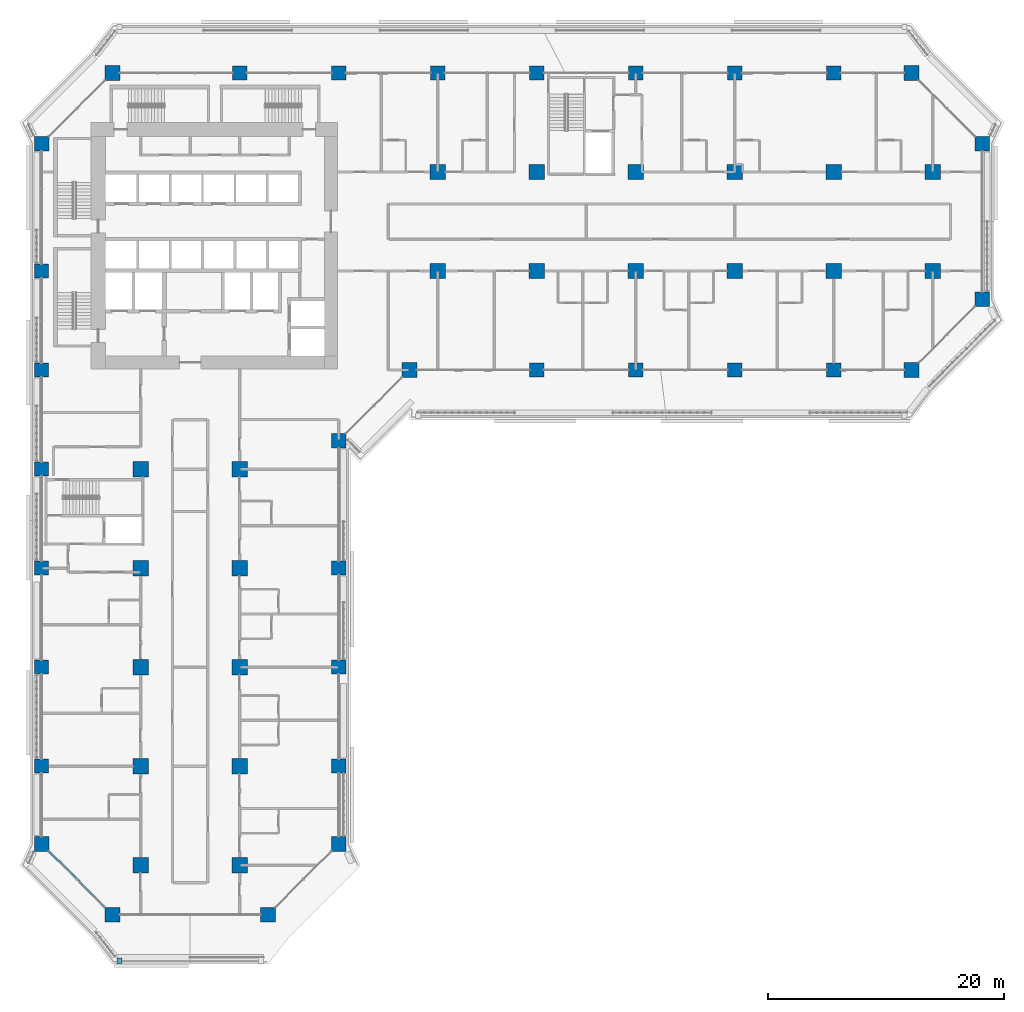
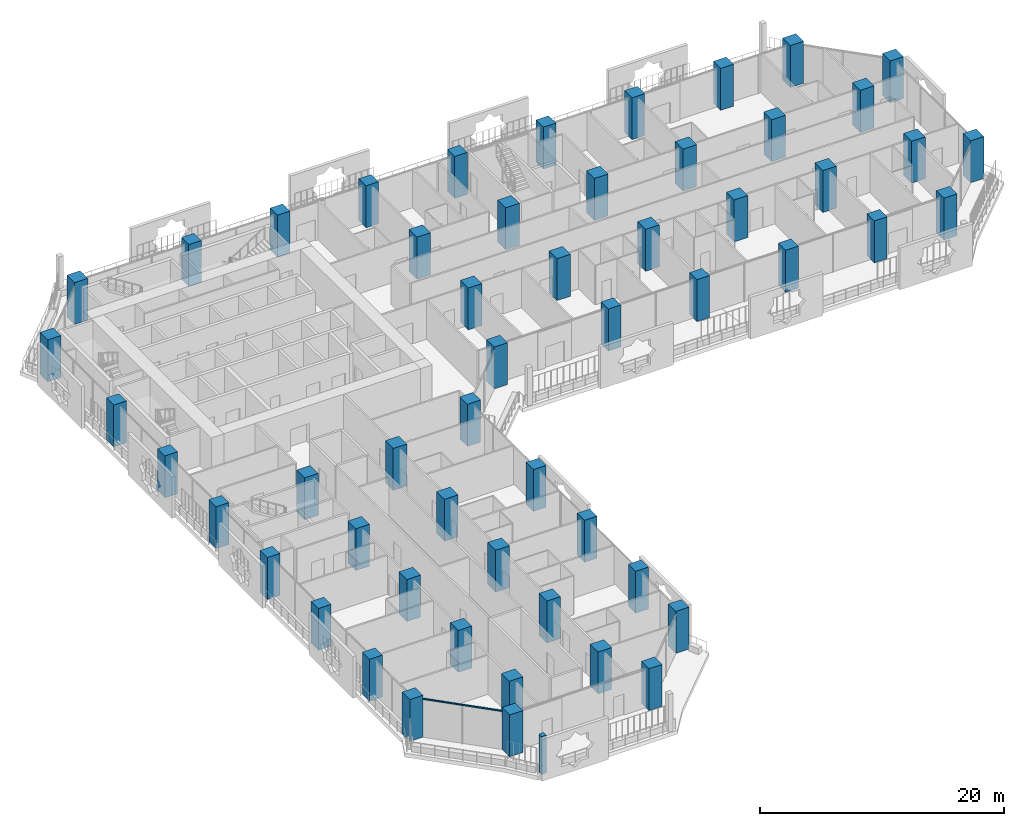
# One storey, part 1 of 28: 54 columns, 2 members, 2 elements without a shape of their own.
"""IFC4 building model written with IfcOpenShell, lengths in metres."""

import ifcopenshell
import ifcopenshell.guid

model = None  # the IFC model being written
_history = None  # IfcOwnerHistory: only IFC2X3 demands one
_inside = {}  # id of a spatial element -> (the spatial element, [elements in it])
_under = {}  # id of a project, library or spatial element -> (it, [spatial elements below it])
_declared = {}  # id of a project -> (the project, [libraries it declares])
_typed = {}  # id of a type object -> (the type object, [elements of that type])
_made_of = {}  # id of a material, layer set ... -> (it, [elements and type objects made of it])


def new_model(schema):
    """Start an empty IFC model of exactly this schema.

    Asked for "IFC4X3", IfcOpenShell would pick the latest addendum, in which some entities
    have other attributes; the version numbers below select the first issue.
    IFC2X3 requires an IfcOwnerHistory on every rooted entity: one is made here for all.
    """
    global model, _history
    if schema == "IFC4X3":
        model = ifcopenshell.file(schema_version=(4, 3, 0, 0))
    else:
        model = ifcopenshell.file(schema=schema)
    _inside.clear()
    _under.clear()
    _declared.clear()
    _typed.clear()
    _made_of.clear()
    _history = None
    if model.schema == "IFC2X3":
        org = make("IfcOrganization", Name="unknown")
        user = make(
            "IfcPersonAndOrganization",
            ThePerson=make("IfcPerson", FamilyName="unknown"),
            TheOrganization=org,
        )
        app = make(
            "IfcApplication",
            ApplicationDeveloper=org,
            Version="unknown",
            ApplicationFullName="unknown",
            ApplicationIdentifier="unknown",
        )
        _history = make(
            "IfcOwnerHistory",
            OwningUser=user,
            OwningApplication=app,
            ChangeAction="ADDED",
            CreationDate=0,
        )
    return model


def make(cls, **values):
    """One entity of the class cls with the attributes given. An attribute that is None is left unset."""
    return model.create_entity(
        cls, **{name: value for name, value in values.items() if value is not None}
    )


def rooted(cls, **values):
    """An entity with a GlobalId (a new one), such as an element, a storey or a relation."""
    return make(cls, GlobalId=ifcopenshell.guid.new(), OwnerHistory=_history, **values)


def si_unit(unit_type, name, prefix=None):
    """IfcSIUnit, for example si_unit("LENGTHUNIT", "METRE", prefix="MILLI")."""
    return make("IfcSIUnit", UnitType=unit_type, Prefix=prefix, Name=name)


def assignment(units):
    """IfcUnitAssignment: the units of a project."""
    return None if units is None else make("IfcUnitAssignment", Units=units)


def point(xyz):
    """IfcCartesianPoint."""
    return None if xyz is None else make("IfcCartesianPoint", Coordinates=xyz)


def direction(xyz):
    """IfcDirection."""
    return None if xyz is None else make("IfcDirection", DirectionRatios=xyz)


def frame(location, z_axis=None, x_axis=None):
    """IfcAxis2Placement3D, a coordinate frame: its origin and axes. An axis left out is left unset."""
    return make(
        "IfcAxis2Placement3D",
        Location=point(location),
        Axis=direction(z_axis),
        RefDirection=direction(x_axis),
    )


def frame_2d(location, x_axis=None):
    """IfcAxis2Placement2D, a coordinate frame in the plane: its origin and x axis."""
    return make(
        "IfcAxis2Placement2D", Location=point(location), RefDirection=direction(x_axis)
    )


def origin():
    """The frame at (0, 0, 0) with its axes left unset."""
    return frame((0.0, 0.0, 0.0))


def origin_2d():
    """The frame at (0, 0) in the plane with its x axis left unset."""
    return frame_2d((0.0, 0.0))


def place(relative_to, where):
    """IfcLocalPlacement: puts the frame where relative to a parent placement (None: the world)."""
    return make(
        "IfcLocalPlacement", PlacementRelTo=relative_to, RelativePlacement=where
    )


def context(
    kind, dimensions, precision=None, world=None, true_north=None, identifier=None
):
    """IfcGeometricRepresentationContext, for example the 3D "Model" context."""
    return make(
        "IfcGeometricRepresentationContext",
        ContextIdentifier=identifier,
        ContextType=kind,
        CoordinateSpaceDimension=dimensions,
        Precision=precision,
        WorldCoordinateSystem=world,
        TrueNorth=true_north,
    )


def subcontext(parent, identifier, kind, view, scale=None):
    """IfcGeometricRepresentationSubContext, for example "Body" below "Model"."""
    return make(
        "IfcGeometricRepresentationSubContext",
        ContextIdentifier=identifier,
        ContextType=kind,
        ParentContext=parent,
        TargetScale=scale,
        TargetView=view,
    )


def project(units=None, contexts=None):
    """IfcProject with its units and contexts."""
    return rooted(
        "IfcProject",
        Name="project",
        RepresentationContexts=contexts,
        UnitsInContext=assignment(units),
    )


def spatial(cls, under=None, at=None, **own):
    """A site, building, storey or space (cls), placed at a placement, below another one or the project."""
    s = rooted(cls, ObjectPlacement=at, **own)
    if under is not None:
        _under.setdefault(under.id(), (under, []))[1].append(s)
    return s


def profile(cls, at=None, kind="AREA", **sizes):
    """A parametric profile (cls). Its sizes go by their IFC names, for example OverallWidth=200.0."""
    return make(cls, ProfileType=kind, Position=at, **sizes)


def rectangle(**sizes):
    """IfcRectangleProfileDef."""
    return profile("IfcRectangleProfileDef", **sizes)


def extrude(swept, where, along, depth):
    """IfcExtrudedAreaSolid: the profile swept, set in the frame where, extruded along a direction by depth."""
    return make(
        "IfcExtrudedAreaSolid",
        SweptArea=swept,
        Position=where,
        ExtrudedDirection=direction(along),
        Depth=depth,
    )


def shape(context_of_items, identifier, shape_type, items):
    """IfcShapeRepresentation: the items that make up one representation, for example the "Body"."""
    return make(
        "IfcShapeRepresentation",
        ContextOfItems=context_of_items,
        RepresentationIdentifier=identifier,
        RepresentationType=shape_type,
        Items=items,
    )


def material(Name=None, Category=None):
    """IfcMaterial."""
    return make("IfcMaterial", Name=Name, Category=Category)


def layer(
    of_material, thickness, ventilated=None, Name=None, Category=None, Priority=None
):
    """IfcMaterialLayer: one layer of a wall or slab, of a material (None: an air gap)."""
    return make(
        "IfcMaterialLayer",
        Material=of_material,
        LayerThickness=thickness,
        IsVentilated=ventilated,
        Name=Name,
        Category=Category,
        Priority=Priority,
    )


def layer_set(layers, Name=None):
    """IfcMaterialLayerSet."""
    return make("IfcMaterialLayerSet", MaterialLayers=layers, LayerSetName=Name)


def material_profile(
    of_material, cross_section, Name=None, Category=None, Priority=None
):
    """IfcMaterialProfile: a cross section and its material."""
    return make(
        "IfcMaterialProfile",
        Name=Name,
        Material=of_material,
        Profile=cross_section,
        Priority=Priority,
        Category=Category,
    )


def profile_set(profiles, Name=None, composite=None):
    """IfcMaterialProfileSet."""
    return make(
        "IfcMaterialProfileSet",
        Name=Name,
        MaterialProfiles=profiles,
        CompositeProfile=composite,
    )


def made_of(thing, what):
    """Note that an element or type object is made of a material, layer set ...; save() writes the relation."""
    if what is not None:
        _made_of.setdefault(what.id(), (what, []))[1].append(thing)
    return thing


def type_object(cls, material=None, **own):
    """A type object (cls), such as IfcWallType, which elements share."""
    return made_of(rooted(cls, **own), material)


def element(
    cls,
    number,
    at=None,
    inside=None,
    cuts=None,
    type_object=None,
    material=None,
    context=None,
    identifier="Body",
    shape_type=None,
    held_by="IfcProductDefinitionShape",
    body=None,
    shapes=None,
    **own,
):
    """One element of the class cls, such as IfcWall. Its Tag is "e" and its number.

    at: its placement. inside: the storey or other place that contains it. cuts: it is an
    opening in that element (IfcRelVoidsElement). A single representation is given by context,
    identifier, shape_type and body (its items); several are given by shapes. held_by: the class
    of the entity that holds the representations. save() writes the other relations.
    """
    e = rooted(cls, Tag="e%d" % number, ObjectPlacement=at, **own)
    if body is not None:
        shapes = [shape(context, identifier, shape_type, body)]
    if shapes is not None:
        e.Representation = make(held_by, Representations=shapes)
    if inside is not None:
        _inside.setdefault(inside.id(), (inside, []))[1].append(e)
    if cuts is not None:
        rooted(
            "IfcRelVoidsElement", RelatingBuildingElement=cuts, RelatedOpeningElement=e
        )
    if type_object is not None:
        _typed.setdefault(type_object.id(), (type_object, []))[1].append(e)
    return made_of(e, material)


def aggregate(whole, parts):
    """IfcRelAggregates: a whole, such as a stair, and the parts it consists of."""
    return rooted("IfcRelAggregates", RelatingObject=whole, RelatedObjects=parts)


def save(model, path):
    """Write the relations noted so far, then the file.

    IfcRelAggregates (storeys below a building ...), IfcRelContainedInSpatialStructure (elements
    in a storey), IfcRelDefinesByType, IfcRelAssociatesMaterial and IfcRelDeclares: one each for
    every whole, place, type object, material and project.
    """
    for whole, parts in _under.values():
        aggregate(whole, parts)
    for where, things in _inside.values():
        rooted(
            "IfcRelContainedInSpatialStructure",
            RelatedElements=things,
            RelatingStructure=where,
        )
    for kind, things in _typed.values():
        rooted("IfcRelDefinesByType", RelatedObjects=things, RelatingType=kind)
    for what, things in _made_of.values():
        rooted("IfcRelAssociatesMaterial", RelatedObjects=things, RelatingMaterial=what)
    for by, libraries in _declared.values():
        rooted("IfcRelDeclares", RelatingContext=by, RelatedDefinitions=libraries)
    model.write(path)


model = new_model("IFC4")

# Units and contexts
model_context = context("Model", 3, precision=1e-05, world=origin(), true_north=direction((0.0, 1.0)))
body_context = subcontext(model_context, "Body", "Model", "MODEL_VIEW")
ifc_project = project(units=[si_unit("LENGTHUNIT", "METRE"), si_unit("AREAUNIT", "SQUARE_METRE"), si_unit("VOLUMEUNIT", "CUBIC_METRE"), si_unit("PLANEANGLEUNIT", "RADIAN"), si_unit("MASSUNIT", "GRAM", prefix="KILO")], contexts=[model_context])

# Site, building, storey
site_placement = place(None, origin())
site = spatial("IfcSite", under=ifc_project, at=site_placement, CompositionType="ELEMENT")
building_placement = place(site_placement, origin())
building = spatial("IfcBuilding", under=site, at=building_placement, Name="Kawkab Arch Medical Tower", CompositionType="ELEMENT")
storey_placement = place(building_placement, frame((0.0, 0.0, 81.199951171875)))
storey = spatial("IfcBuildingStorey", under=building, at=storey_placement, Name="L18", CompositionType="ELEMENT", Elevation=81.199951171875)

# Columns
ifc_material_1 = material(Name="Concrete C60/75", Category="concrete")
ifc_material_profile_1 = material_profile(ifc_material_1, rectangle(XDim=1.199951171875, YDim=1.199951171875, at=origin_2d()), Name="RC 1200x1200")
ifc_profile_set_1 = profile_set([ifc_material_profile_1], Name="Concrete C60/75")
column_type_1 = type_object("IfcColumnType", Name="RC 1200x1200 column C60/75", PredefinedType="COLUMN", material=ifc_profile_set_1)
for number, where, z_axis, x_axis, name in (
    (1, (16.800048828125, 0.0, 0.0), (0.0, 0.0, 1.0), (1.0, 0.0, 0.0), "Column RC 1200x1200"),
    (2, (25.199951171875, 0.0, 0.0), (0.0, 0.0, 1.0), (1.0, 0.0, 0.0), "Column RC 1200x1200"),
    (3, (33.60009765625, 0.0, 0.0), (0.0, 0.0, 1.0), (1.0, 0.0, 0.0), "Column RC 1200x1200"),
    (4, (42.0, 0.0, 0.0), (0.0, 0.0, 1.0), (1.0, 0.0, 0.0), "Column RC 1200x1200"),
    (5, (50.39990234375, 0.0, 0.0), (0.0, 0.0, 1.0), (1.0, 0.0, 0.0), "Column RC 1200x1200"),
    (6, (58.800048828125, 0.0, 0.0), (0.0, 0.0, 1.0), (1.0, 0.0, 0.0), "Column RC 1200x1200"),
    (7, (67.199951171875, 0.0, 0.0), (0.0, 0.0, 1.0), (1.0, 0.0, 0.0), "Column RC 1200x1200"),
    (8, (0.0, -16.800048828125, 0.0), (0.0, 0.0, 1.0), (1.0, 0.0, 0.0), "Column RC 1200x1200"),
    (9, (0.0, -25.199951171875, 0.0), (0.0, 0.0, 1.0), (1.0, 0.0, 0.0), "Column RC 1200x1200"),
    (10, (42.0, -25.199951171875, 0.0), (0.0, 0.0, 1.0), (1.0, 0.0, 0.0), "Column RC 1200x1200"),
    (11, (50.39990234375, -25.199951171875, 0.0), (0.0, 0.0, 1.0), (1.0, 0.0, 0.0), "Column RC 1200x1200"),
    (12, (58.800048828125, -25.199951171875, 0.0), (0.0, 0.0, 1.0), (1.0, 0.0, 0.0), "Column RC 1200x1200"),
    (13, (67.199951171875, -25.199951171875, 0.0), (0.0, 0.0, 1.0), (1.0, 0.0, 0.0), "Column RC 1200x1200"),
    (14, (0.0, -33.60009765625, 0.0), (0.0, 0.0, 1.0), (1.0, 0.0, 0.0), "Column RC 1200x1200"),
    (15, (0.0, -42.0, 0.0), (0.0, 0.0, 1.0), (1.0, 0.0, 0.0), "Column RC 1200x1200"),
    (16, (25.199951171875, -42.0, 0.0), (0.0, 0.0, 1.0), (1.0, 0.0, 0.0), "Column RC 1200x1200"),
    (17, (0.0, -50.39990234375, 0.0), (0.0, 0.0, 1.0), (1.0, 0.0, 0.0), "Column RC 1200x1200"),
    (18, (25.199951171875, -50.39990234375, 0.0), (0.0, 0.0, 1.0), (1.0, 0.0, 0.0), "Column RC 1200x1200"),
    (19, (0.0, -58.800048828125, 0.0), (0.0, 0.0, 1.0), (1.0, 0.0, 0.0), "Column RC 1200x1200"),
    (20, (25.199951171875, -58.800048828125, 0.0), (0.0, 0.0, 1.0), (1.0, 0.0, 0.0), "Column RC 1200x1200"),
):
    element("IfcColumn", number, at=place(storey_placement, frame(where, z_axis=z_axis, x_axis=x_axis)), inside=storey, type_object=column_type_1, Name=name, PredefinedType="COLUMN", context=body_context, shape_type="SweptSolid", body=[
        extrude(rectangle(XDim=1.199951171875, YDim=1.199951171875, at=origin_2d()), origin(), (0.0, 0.0, 1.0), 4.199951171875),
    ])
ifc_material_2 = material(Name="Concrete C60/75", Category="concrete")
ifc_material_profile_2 = material_profile(ifc_material_2, rectangle(XDim=1.25, YDim=1.25, at=origin_2d()), Name="RC 1250x1250")
ifc_profile_set_2 = profile_set([ifc_material_profile_2], Name="Concrete C60/75")
column_type_2 = type_object("IfcColumnType", Name="RC 1250x1250 column C60/75", PredefinedType="COLUMN", material=ifc_profile_set_2)
for number, where, z_axis, x_axis, name in (
    (21, (6.0, 0.0, 0.0), (0.0, 0.0, 1.0), (1.0, 0.0, 0.0), "Column RC 1250x1250"),
    (22, (73.800048828125, 0.0, 0.0), (0.0, 0.0, 1.0), (1.0, 0.0, 0.0), "Column RC 1250x1250"),
    (23, (0.0, -6.0, 0.0), (0.0, 0.0, 1.0), (1.0, 0.0, 0.0), "Column RC 1250x1250"),
    (24, (79.800048828125, -6.0, 0.0), (0.0, 0.0, 1.0), (1.0, 0.0, 0.0), "Column RC 1250x1250"),
    (25, (79.800048828125, -19.199951171875, 0.0), (0.0, 0.0, 1.0), (1.0, 0.0, 0.0), "Column RC 1250x1250"),
    (26, (31.199951171875, -25.199951171875, 0.0), (0.0, 0.0, 1.0), (1.0, 0.0, 0.0), "Column RC 1250x1250"),
    (27, (73.800048828125, -25.199951171875, 0.0), (0.0, 0.0, 1.0), (1.0, 0.0, 0.0), "Column RC 1250x1250"),
    (28, (25.199951171875, -31.199951171875, 0.0), (0.0, 0.0, 1.0), (1.0, 0.0, 0.0), "Column RC 1250x1250"),
    (29, (0.0, -65.39990234375, 0.0), (0.0, 0.0, 1.0), (1.0, 0.0, 0.0), "Column RC 1250x1250"),
    (30, (25.199951171875, -65.39990234375, 0.0), (0.0, 0.0, 1.0), (1.0, 0.0, 0.0), "Column RC 1250x1250"),
    (31, (6.0, -71.39990234375, 0.0), (0.0, 0.0, 1.0), (1.0, 0.0, 0.0), "Column RC 1250x1250"),
    (32, (19.199951171875, -71.39990234375, 0.0), (0.0, 0.0, 1.0), (1.0, 0.0, 0.0), "Column RC 1250x1250"),
):
    element("IfcColumn", number, at=place(storey_placement, frame(where, z_axis=z_axis, x_axis=x_axis)), inside=storey, type_object=column_type_2, Name=name, PredefinedType="COLUMN", context=body_context, shape_type="SweptSolid", body=[
        extrude(rectangle(XDim=1.25, YDim=1.25, at=origin_2d()), origin(), (0.0, 0.0, 1.0), 4.199951171875),
    ])
ifc_material_3 = material(Name="Concrete C60/75", Category="concrete")
ifc_material_profile_3 = material_profile(ifc_material_3, rectangle(XDim=1.300048828125, YDim=1.300048828125, at=origin_2d()), Name="RC 1300x1300")
ifc_profile_set_3 = profile_set([ifc_material_profile_3], Name="Concrete C60/75")
column_type_3 = type_object("IfcColumnType", Name="RC 1300x1300 column C60/75", PredefinedType="COLUMN", material=ifc_profile_set_3)
for number, where, z_axis, x_axis, name in (
    (33, (33.60009765625, -8.39990234375, 0.0), (0.0, 0.0, 1.0), (1.0, 0.0, 0.0), "Column RC 1300x1300"),
    (34, (42.0, -8.39990234375, 0.0), (0.0, 0.0, 1.0), (1.0, 0.0, 0.0), "Column RC 1300x1300"),
    (35, (50.39990234375, -8.39990234375, 0.0), (0.0, 0.0, 1.0), (1.0, 0.0, 0.0), "Column RC 1300x1300"),
    (36, (58.800048828125, -8.39990234375, 0.0), (0.0, 0.0, 1.0), (1.0, 0.0, 0.0), "Column RC 1300x1300"),
    (37, (67.199951171875, -8.39990234375, 0.0), (0.0, 0.0, 1.0), (1.0, 0.0, 0.0), "Column RC 1300x1300"),
    (38, (75.60009765625, -8.39990234375, 0.0), (0.0, 0.0, 1.0), (1.0, 0.0, 0.0), "Column RC 1300x1300"),
    (39, (33.60009765625, -16.800048828125, 0.0), (0.0, 0.0, 1.0), (1.0, 0.0, 0.0), "Column RC 1300x1300"),
    (40, (42.0, -16.800048828125, 0.0), (0.0, 0.0, 1.0), (1.0, 0.0, 0.0), "Column RC 1300x1300"),
    (41, (50.39990234375, -16.800048828125, 0.0), (0.0, 0.0, 1.0), (1.0, 0.0, 0.0), "Column RC 1300x1300"),
    (42, (58.800048828125, -16.800048828125, 0.0), (0.0, 0.0, 1.0), (1.0, 0.0, 0.0), "Column RC 1300x1300"),
    (43, (67.199951171875, -16.800048828125, 0.0), (0.0, 0.0, 1.0), (1.0, 0.0, 0.0), "Column RC 1300x1300"),
    (44, (75.60009765625, -16.800048828125, 0.0), (0.0, 0.0, 1.0), (1.0, 0.0, 0.0), "Column RC 1300x1300"),
    (45, (8.39990234375, -33.60009765625, 0.0), (0.0, 0.0, 1.0), (1.0, 0.0, 0.0), "Column RC 1300x1300"),
    (46, (16.800048828125, -33.60009765625, 0.0), (0.0, 0.0, 1.0), (1.0, 0.0, 0.0), "Column RC 1300x1300"),
    (47, (8.39990234375, -42.0, 0.0), (0.0, 0.0, 1.0), (1.0, 0.0, 0.0), "Column RC 1300x1300"),
    (48, (16.800048828125, -42.0, 0.0), (0.0, 0.0, 1.0), (1.0, 0.0, 0.0), "Column RC 1300x1300"),
    (49, (8.39990234375, -50.39990234375, 0.0), (0.0, 0.0, 1.0), (1.0, 0.0, 0.0), "Column RC 1300x1300"),
    (50, (16.800048828125, -50.39990234375, 0.0), (0.0, 0.0, 1.0), (1.0, 0.0, 0.0), "Column RC 1300x1300"),
    (51, (8.39990234375, -58.800048828125, 0.0), (0.0, 0.0, 1.0), (1.0, 0.0, 0.0), "Column RC 1300x1300"),
    (52, (16.800048828125, -58.800048828125, 0.0), (0.0, 0.0, 1.0), (1.0, 0.0, 0.0), "Column RC 1300x1300"),
    (53, (8.39990234375, -67.199951171875, 0.0), (0.0, 0.0, 1.0), (1.0, 0.0, 0.0), "Column RC 1300x1300"),
    (54, (16.800048828125, -67.199951171875, 0.0), (0.0, 0.0, 1.0), (1.0, 0.0, 0.0), "Column RC 1300x1300"),
):
    element("IfcColumn", number, at=place(storey_placement, frame(where, z_axis=z_axis, x_axis=x_axis)), inside=storey, type_object=column_type_3, Name=name, PredefinedType="COLUMN", context=body_context, shape_type="SweptSolid", body=[
        extrude(rectangle(XDim=1.300048828125, YDim=1.300048828125, at=origin_2d()), origin(), (0.0, 0.0, 1.0), 4.199951171875),
    ])

# Curtain wall, member
ifc_material_4 = material(Name="Bronze anodised aluminium curtain wall frame", Category="aluminium")
ifc_layer_1 = layer(ifc_material_4, 0.159912109375)
ifc_layer_set_1 = layer_set([ifc_layer_1], Name="Bronze anodised aluminium curtain wall frame")
curtain_wall_type_1 = type_object("IfcCurtainWallType", Name="CW2 chamfer curtain wall", PredefinedType="NOTDEFINED", material=ifc_layer_set_1)
placement = place(storey_placement, origin())
curtain_wall_1 = element("IfcCurtainWall", 55, at=placement, inside=storey, type_object=curtain_wall_type_1, Name="CW2 Chamfer curtain wall R02", PredefinedType="NOTDEFINED")
ifc_material_5 = material(Name="Bronze anodised aluminium curtain wall frame", Category="aluminium")
ifc_material_profile_4 = material_profile(ifc_material_5, rectangle(XDim=0.06005859375, YDim=0.139892578125, at=origin_2d()), Name="AL 60x140")
ifc_profile_set_4 = profile_set([ifc_material_profile_4], Name="Bronze anodised aluminium curtain wall frame")
member_type_1 = type_object("IfcMemberType", Name="CW2 transom 140 x 60", PredefinedType="USERDEFINED", material=ifc_profile_set_4)
member_1_placement = place(storey_placement, frame((0.625, -66.02490234375, 3.830078125), z_axis=(0.707106781187, -0.707106781187, 0.0), x_axis=(0.707106781187, 0.707106781187, 0.0)))
member_1 = element("IfcMember", 56, at=member_1_placement, type_object=member_type_1, Name="CW2 transom 1", ObjectType="TRANSOM", PredefinedType="USERDEFINED", context=body_context, shape_type="SweptSolid", body=[
    extrude(rectangle(XDim=0.06005859375, YDim=0.139892578125, at=origin_2d()), origin(), (0.0, 0.0, 1.0), 6.717529296875),
])
aggregate(curtain_wall_1, [member_1])

ifc_material_6 = material(Name="Bronze anodised aluminium climber frame, planted", Category="aluminium")
ifc_layer_2 = layer(ifc_material_6, 0.449951171875)
ifc_layer_set_2 = layer_set([ifc_layer_2], Name="Bronze anodised aluminium climber frame, planted")
curtain_wall_type_2 = type_object("IfcCurtainWallType", Name="Planted climber frame", PredefinedType="NOTDEFINED", material=ifc_layer_set_2)
curtain_wall_2 = element("IfcCurtainWall", 57, at=placement, inside=storey, type_object=curtain_wall_type_2, Name="Planted climber frame L18", PredefinedType="NOTDEFINED")
ifc_material_7 = material(Name="Bronze anodised aluminium climber frame, planted", Category="aluminium")
ifc_material_profile_5 = material_profile(ifc_material_7, rectangle(XDim=0.449951171875, YDim=0.449951171875, at=origin_2d()), Name="Post 450x450")
ifc_profile_set_5 = profile_set([ifc_material_profile_5], Name="Bronze anodised aluminium climber frame, planted")
member_type_2 = type_object("IfcMemberType", Name="Planted climber post 450 x 450", PredefinedType="MULLION", material=ifc_profile_set_5)
member_2_placement = place(storey_placement, frame((6.596923828125, -75.300048828125, 0.0), z_axis=(0.0, 0.0, 1.0), x_axis=(1.0, 0.0, 0.0)))
member_2 = element("IfcMember", 58, at=member_2_placement, type_object=member_type_2, Name="Planted climber post L18.LOG-01-01.2", PredefinedType="MULLION", context=body_context, shape_type="SweptSolid", body=[
    extrude(rectangle(XDim=0.449951171875, YDim=0.449951171875, at=origin_2d()), origin(), (0.0, 0.0, 1.0), 3.800048828125),
])
aggregate(curtain_wall_2, [member_2])

save(model, "model.ifc")
